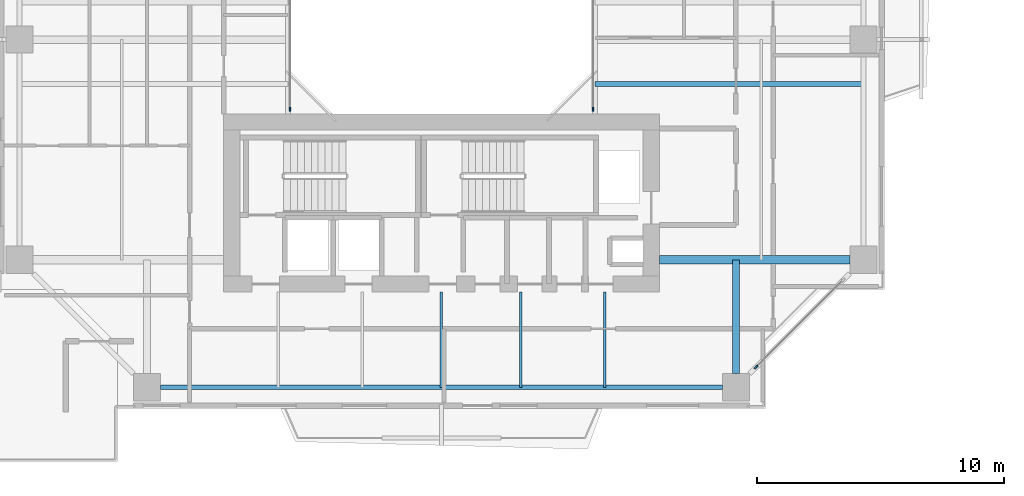
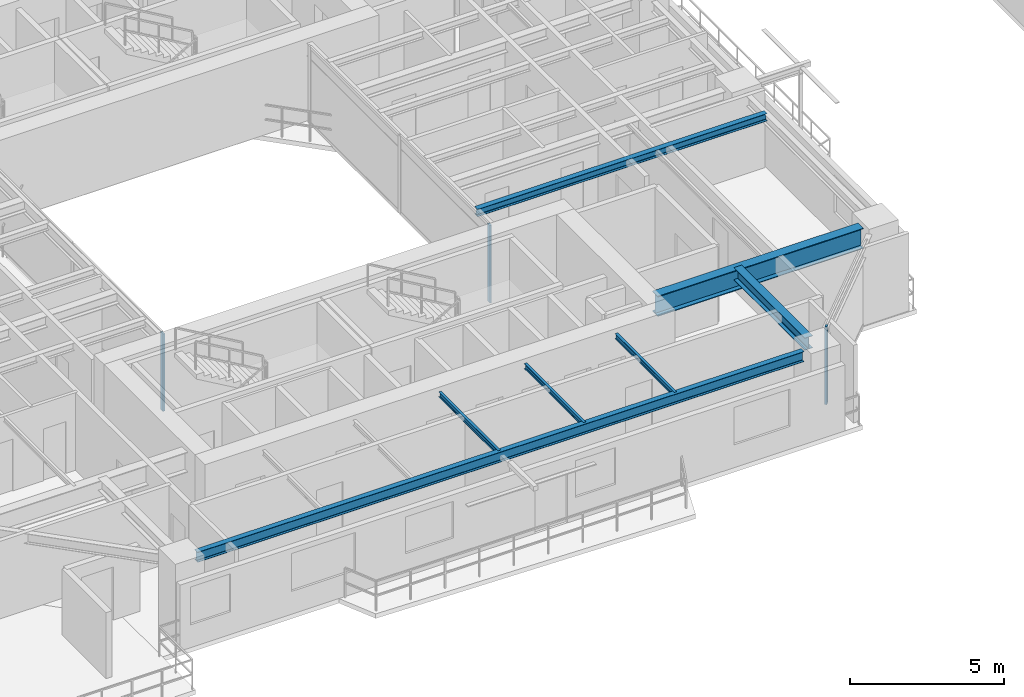
# One storey, part 2 of 23: 7 beams, 3 members, 3 elements without a shape of their own.
"""IFC4 building model written with IfcOpenShell, lengths in metres."""

from ifc_helpers import new_model, si_unit, direction, frame, origin, origin_2d, place, context, subcontext, project, spatial, rectangle, i_section, extrude, source, transform, mapped, material, layer, layer_set, material_profile, profile_set, type_object, element, aggregate, save


model = new_model("IFC4")

# Units and contexts
model_context = context("Model", 3, precision=1e-05, world=origin(), true_north=direction((0.0, 1.0)))
body_context = subcontext(model_context, "Body", "Model", "MODEL_VIEW")
ifc_project = project(units=[si_unit("LENGTHUNIT", "METRE"), si_unit("AREAUNIT", "SQUARE_METRE"), si_unit("VOLUMEUNIT", "CUBIC_METRE"), si_unit("PLANEANGLEUNIT", "RADIAN"), si_unit("MASSUNIT", "GRAM", prefix="KILO"), si_unit("THERMODYNAMICTEMPERATUREUNIT", "KELVIN"), si_unit("POWERUNIT", "WATT")], contexts=[model_context])

# Site, building, storey
site_placement = place(None, origin())
site = spatial("IfcSite", under=ifc_project, at=site_placement, CompositionType="ELEMENT")
building_placement = place(site_placement, origin())
building = spatial("IfcBuilding", under=site, at=building_placement, Name="Qiaomeng Ring Towers", CompositionType="ELEMENT")
storey_placement = place(building_placement, frame((0.0, 0.0, 103.5)))
storey = spatial("IfcBuildingStorey", under=building, at=storey_placement, Name="L29", CompositionType="ELEMENT", Elevation=103.5)

# Beams
ifc_material_1 = material(Name="Steel Q355B", Category="steel")
ifc_material_profile_1 = material_profile(ifc_material_1, i_section(OverallWidth=0.199951171875, OverallDepth=0.39990234375, WebThickness=0.008056640625, FlangeThickness=0.012939453125, FilletRadius=0.01611328125, at=origin_2d()), Name="HN 400x200x8x13")
ifc_profile_set_1 = profile_set([ifc_material_profile_1], Name="Steel Q355B")
beam_type_1 = type_object("IfcBeamType", Name="STR-BM-HN400", PredefinedType="SPANDREL", material=ifc_profile_set_1)
shared_shape_1 = source(origin(), body_context, "Body", "SweptSolid", [
    extrude(i_section(OverallWidth=0.199951171875, OverallDepth=0.39990234375, WebThickness=0.008056640625, FlangeThickness=0.012939453125, FilletRadius=0.01611328125, at=origin_2d()), origin(), (0.0, 0.0, 1.0), 22.7021484375),
])
beam_1_placement = place(storey_placement, frame((7.64892578125, 5.949951171875, 2.8701171875), z_axis=(1.0, 0.0, 0.0), x_axis=(0.0, 1.0, 0.0)))
element("IfcBeam", 1, at=beam_1_placement, inside=storey, type_object=beam_type_1, Name="L29 beam STR-SP-L29-T1-S1-S2", PredefinedType="SPANDREL", context=body_context, shape_type="MappedRepresentation", body=[
    mapped(shared_shape_1, transform((0.0, 0.0, 0.0), x_axis=(1.0, 0.0, 0.0), y_axis=(0.0, 1.0, 0.0), z_axis=(0.0, 0.0, 1.0), scale=1.0)),
])
ifc_material_2 = material(Name="Steel Q390GJC", Category="steel")
ifc_material_profile_2 = material_profile(ifc_material_2, i_section(OverallWidth=0.35009765625, OverallDepth=0.800048828125, WebThickness=0.01611328125, FlangeThickness=0.028076171875, at=origin_2d()), Name="WH 800x350x16x28")
ifc_profile_set_2 = profile_set([ifc_material_profile_2], Name="Steel Q390GJC")
beam_type_2 = type_object("IfcBeamType", Name="STR-BM-WH800", PredefinedType="BEAM", material=ifc_profile_set_2)
shared_shape_2 = source(origin(), body_context, "Body", "SweptSolid", [
    extrude(i_section(OverallWidth=0.35009765625, OverallDepth=0.800048828125, WebThickness=0.01611328125, FlangeThickness=0.028076171875, at=origin_2d()), origin(), (0.0, 0.0, 1.0), 7.700927734375),
])
beam_2_placement = place(storey_placement, frame((27.800048828125, 11.10009765625, 2.669921875), z_axis=(1.0, 0.0, 0.0), x_axis=(0.0, 1.0, 0.0)))
element("IfcBeam", 2, at=beam_2_placement, inside=storey, type_object=beam_type_2, Name="L29 beam STR-BM-L29-T1-RAD-E1", PredefinedType="BEAM", context=body_context, shape_type="MappedRepresentation", body=[
    mapped(shared_shape_2, transform((0.0, 0.0, 0.0), x_axis=(1.0, 0.0, 0.0), y_axis=(0.0, 1.0, 0.0), z_axis=(0.0, 0.0, 1.0), scale=1.0)),
])
ifc_material_profile_3 = material_profile(ifc_material_1, i_section(OverallWidth=0.300048828125, OverallDepth=0.488037109375, WebThickness=0.010986328125, FlangeThickness=0.01806640625, FilletRadius=0.02587890625, at=origin_2d()), Name="HM 488x300x11x18")
ifc_profile_set_3 = profile_set([ifc_material_profile_3], Name="Steel Q355B")
beam_type_3 = type_object("IfcBeamType", Name="STR-BM-HM488", PredefinedType="BEAM", material=ifc_profile_set_3)
shared_shape_3 = source(origin(), body_context, "Body", "SweptSolid", [
    extrude(i_section(OverallWidth=0.300048828125, OverallDepth=0.488037109375, WebThickness=0.010986328125, FlangeThickness=0.01806640625, FilletRadius=0.02587890625, at=origin_2d()), origin(), (0.0, 0.0, 1.0), 4.60107421875),
])
beam_3_placement = place(storey_placement, frame((30.89990234375, 6.4990234375, 2.825927734375), z_axis=(0.0, 1.0, 0.0), x_axis=(-1.0, 0.0, 0.0)))
element("IfcBeam", 3, at=beam_3_placement, inside=storey, type_object=beam_type_3, Name="L29 beam STR-BM-L29-T1-RAD-S2", PredefinedType="BEAM", context=body_context, shape_type="MappedRepresentation", body=[
    mapped(shared_shape_3, transform((0.0, 0.0, 0.0), x_axis=(1.0, 0.0, 0.0), y_axis=(0.0, 1.0, 0.0), z_axis=(0.0, 0.0, 1.0), scale=1.0)),
])
ifc_material_profile_4 = material_profile(ifc_material_1, i_section(OverallWidth=0.10009765625, OverallDepth=0.199951171875, WebThickness=0.005615234375, FlangeThickness=0.008056640625, FilletRadius=0.010986328125, at=origin_2d()), Name="HN 200x100x5.5x8")
ifc_profile_set_4 = profile_set([ifc_material_profile_4], Name="Steel Q355B")
beam_type_4 = type_object("IfcBeamType", Name="STR-BM-HN200", PredefinedType="JOIST", material=ifc_profile_set_4)
shared_shape_4 = source(origin(), body_context, "Body", "SweptSolid", [
    extrude(i_section(OverallWidth=0.10009765625, OverallDepth=0.199951171875, WebThickness=0.005615234375, FlangeThickness=0.008056640625, FilletRadius=0.010986328125, at=origin_2d()), origin(), (0.0, 0.0, 1.0), 3.85009765625),
])
for number, where, z_axis, x_axis, name in (
    (4, (19.0, 5.949951171875, 2.969970703125), (0.0, 1.0, 0.0), (-1.0, 0.0, 0.0), "L29 beam STR-JST-L29-T1S-3"),
    (5, (22.199951171875, 5.949951171875, 2.969970703125), (0.0, 1.0, 0.0), (-1.0, 0.0, 0.0), "L29 beam STR-JST-L29-T1S-4"),
    (6, (25.60009765625, 5.949951171875, 2.969970703125), (0.0, 1.0, 0.0), (-1.0, 0.0, 0.0), "L29 beam STR-JST-L29-T1S-5"),
):
    element("IfcBeam", number, at=place(storey_placement, frame(where, z_axis=z_axis, x_axis=x_axis)), inside=storey, type_object=beam_type_4, Name=name, PredefinedType="JOIST", context=body_context, shape_type="MappedRepresentation", body=[
        mapped(shared_shape_4, transform((0.0, 0.0, 0.0), x_axis=(1.0, 0.0, 0.0), y_axis=(0.0, 1.0, 0.0), z_axis=(0.0, 0.0, 1.0), scale=1.0)),
    ])
ifc_material_profile_5 = material_profile(ifc_material_1, i_section(OverallWidth=0.199951171875, OverallDepth=0.2939453125, WebThickness=0.008056640625, FlangeThickness=0.011962890625, FilletRadius=0.01806640625, at=origin_2d()), Name="HM 294x200x8x12")
ifc_profile_set_5 = profile_set([ifc_material_profile_5], Name="Steel Q355B")
beam_type_5 = type_object("IfcBeamType", Name="STR-BM-HM294", PredefinedType="JOIST", material=ifc_profile_set_5)
shared_shape_5 = source(origin(), body_context, "Body", "SweptSolid", [
    extrude(i_section(OverallWidth=0.199951171875, OverallDepth=0.2939453125, WebThickness=0.008056640625, FlangeThickness=0.011962890625, FilletRadius=0.01806640625, at=origin_2d()), origin(), (0.0, 0.0, 1.0), 10.85009765625),
])
beam_4_placement = place(storey_placement, frame((25.199951171875, 18.199951171875, 2.923095703125), z_axis=(1.0, 0.0, 0.0), x_axis=(0.0, 1.0, 0.0)))
element("IfcBeam", 7, at=beam_4_placement, inside=storey, type_object=beam_type_5, Name="L29 beam STR-JST-L29-T1E-1", PredefinedType="JOIST", context=body_context, shape_type="MappedRepresentation", body=[
    mapped(shared_shape_5, transform((0.0, 0.0, 0.0), x_axis=(1.0, 0.0, 0.0), y_axis=(0.0, 1.0, 0.0), z_axis=(0.0, 0.0, 1.0), scale=1.0)),
])

# Curtain wall, member
ifc_material_3 = material(Name="Fluorocarbon dark-grey aluminium", Category="aluminium")
ifc_layer_1 = layer(ifc_material_3, 0.139892578125, Name="Fluorocarbon dark-grey aluminium")
ifc_layer_set_1 = layer_set([ifc_layer_1], Name="Fluorocarbon dark-grey aluminium")
curtain_wall_type_1 = type_object("IfcCurtainWallType", Name="ARC-CW-4", PredefinedType="NOTDEFINED", material=ifc_layer_set_1)
curtain_wall_1_placement = place(storey_placement, origin())
curtain_wall_1 = element("IfcCurtainWall", 8, at=curtain_wall_1_placement, inside=storey, type_object=curtain_wall_type_1, Name="L29 Curtain Wall CW4", PredefinedType="NOTDEFINED")
ifc_material_profile_6 = material_profile(ifc_material_3, rectangle(XDim=0.06494140625, YDim=0.159912109375, at=origin_2d()), Name="ALU MULL 65x160")
ifc_profile_set_6 = profile_set([ifc_material_profile_6], Name="Fluorocarbon dark-grey aluminium")
member_type_1 = type_object("IfcMemberType", Name="ARC-CWM-140", PredefinedType="MULLION", material=ifc_profile_set_6)
shared_shape_6 = source(origin(), body_context, "Body", "SweptSolid", [
    extrude(rectangle(XDim=0.06494140625, YDim=0.159912109375, at=origin_2d()), origin(), (0.0, 0.0, 1.0), 3.070068359375),
])
member_1_placement = place(storey_placement, frame((12.8798828125, 17.1826171875, 0.0), z_axis=(0.0, 0.0, 1.0), x_axis=(-1.0, 0.0, 0.0)))
member_1 = element("IfcMember", 9, at=member_1_placement, type_object=member_type_1, Name="CW4 mullion 1", PredefinedType="MULLION", context=body_context, shape_type="MappedRepresentation", body=[
    mapped(shared_shape_6, transform((0.0, 0.0, 0.0), x_axis=(1.0, 0.0, 0.0), y_axis=(0.0, 1.0, 0.0), z_axis=(0.0, 0.0, 1.0), scale=1.0)),
])
aggregate(curtain_wall_1, [member_1])

curtain_wall_2_placement = place(storey_placement, origin())
curtain_wall_2 = element("IfcCurtainWall", 10, at=curtain_wall_2_placement, inside=storey, type_object=curtain_wall_type_1, Name="L29 Curtain Wall CW4", PredefinedType="NOTDEFINED")
member_2_placement = place(storey_placement, frame((25.1201171875, 17.1826171875, 0.0), z_axis=(0.0, 0.0, 1.0), x_axis=(-1.0, 0.0, 0.0)))
member_2 = element("IfcMember", 11, at=member_2_placement, type_object=member_type_1, Name="CW4 mullion 1", PredefinedType="MULLION", context=body_context, shape_type="MappedRepresentation", body=[
    mapped(shared_shape_6, transform((0.0, 0.0, 0.0), x_axis=(1.0, 0.0, 0.0), y_axis=(0.0, 1.0, 0.0), z_axis=(0.0, 0.0, 1.0), scale=1.0)),
])
aggregate(curtain_wall_2, [member_2])

ifc_layer_2 = layer(ifc_material_3, 0.14990234375, Name="Fluorocarbon dark-grey aluminium")
ifc_layer_set_2 = layer_set([ifc_layer_2], Name="Fluorocarbon dark-grey aluminium")
curtain_wall_type_2 = type_object("IfcCurtainWallType", Name="ARC-CW-3", PredefinedType="NOTDEFINED", material=ifc_layer_set_2)
curtain_wall_3_placement = place(storey_placement, origin())
curtain_wall_3 = element("IfcCurtainWall", 12, at=curtain_wall_3_placement, inside=storey, type_object=curtain_wall_type_2, Name="L29 Curtain Wall CW3", PredefinedType="NOTDEFINED")
ifc_material_profile_7 = material_profile(ifc_material_3, rectangle(XDim=0.070068359375, YDim=0.179931640625, at=origin_2d()), Name="ALU MULL 70x180")
ifc_profile_set_7 = profile_set([ifc_material_profile_7], Name="Fluorocarbon dark-grey aluminium")
member_type_2 = type_object("IfcMemberType", Name="ARC-CWM-160", PredefinedType="MULLION", material=ifc_profile_set_7)
shared_shape_7 = source(origin(), body_context, "Body", "SweptSolid", [
    extrude(rectangle(XDim=0.070068359375, YDim=0.179931640625, at=origin_2d()), origin(), (0.0, 0.0, 1.0), 3.070068359375),
])
member_3_placement = place(storey_placement, frame((31.71484375, 6.7646484375, 0.0), z_axis=(0.0, 0.0, 1.0), x_axis=(-0.707106781187, 0.707106781187, 0.0)))
member_3 = element("IfcMember", 13, at=member_3_placement, type_object=member_type_2, Name="CW3 mullion 1", PredefinedType="MULLION", context=body_context, shape_type="MappedRepresentation", body=[
    mapped(shared_shape_7, transform((0.0, 0.0, 0.0), x_axis=(1.0, 0.0, 0.0), y_axis=(0.0, 1.0, 0.0), z_axis=(0.0, 0.0, 1.0), scale=1.0)),
])
aggregate(curtain_wall_3, [member_3])

save(model, "model.ifc")
